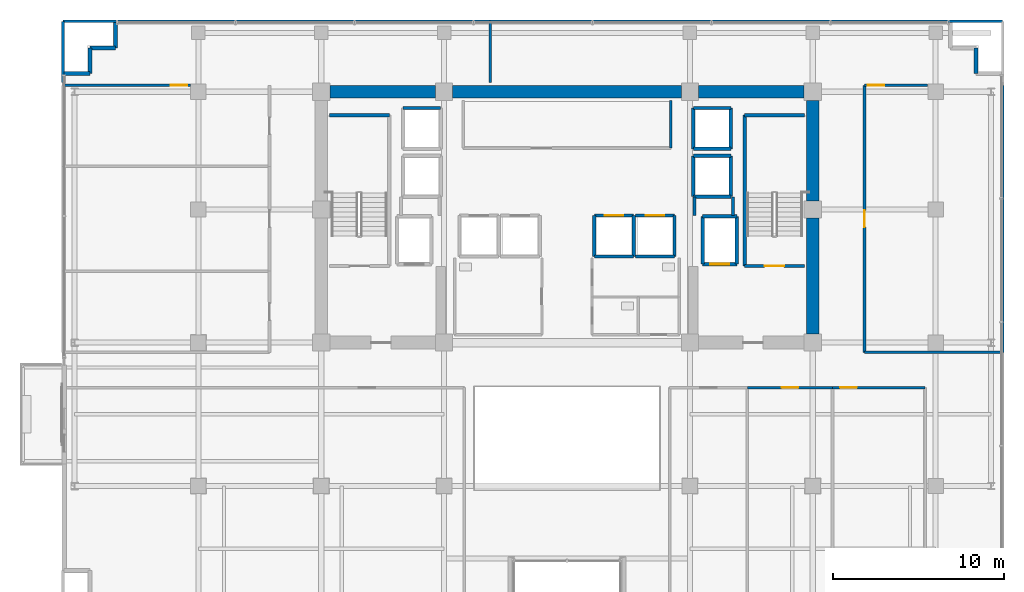
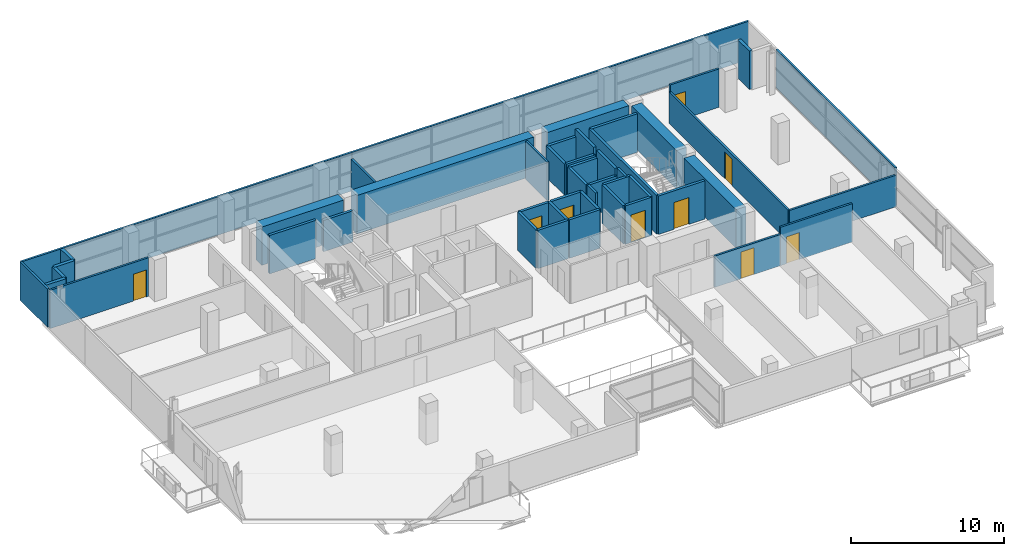
# One storey, part 22 of 28: 48 walls, 9 doors, 9 openings.
"""IFC4 building model written with IfcOpenShell, lengths in metres."""

from ifc_helpers import new_model, si_unit, direction, frame, frame_2d, origin, place, context, subcontext, project, spatial, rectangle, extrude, source, transform, mapped, material, layer, layer_set, type_object, element, fill, save


model = new_model("IFC4")

# Units and contexts
model_context = context("Model", 3, precision=1e-05, world=origin(), true_north=direction((0.0, 1.0)))
body_context = subcontext(model_context, "Body", "Model", "MODEL_VIEW")
ifc_project = project(units=[si_unit("LENGTHUNIT", "METRE"), si_unit("AREAUNIT", "SQUARE_METRE"), si_unit("VOLUMEUNIT", "CUBIC_METRE"), si_unit("PLANEANGLEUNIT", "RADIAN"), si_unit("MASSUNIT", "GRAM", prefix="KILO")], contexts=[model_context])

# Site, building, storey
site_placement = place(None, origin())
site = spatial("IfcSite", under=ifc_project, at=site_placement, CompositionType="ELEMENT")
building_placement = place(site_placement, origin())
building = spatial("IfcBuilding", under=site, at=building_placement, Name="Zarnakvel Exchange Tower", CompositionType="ELEMENT")
storey_placement = place(building_placement, frame((0.0, 0.0, 103.300048828125)))
storey = spatial("IfcBuildingStorey", under=building, at=storey_placement, Name="L28", CompositionType="ELEMENT", Elevation=103.300048828125)

# Walls
ifc_material_1 = material(Name="Concrete C60/75", Category="concrete")
ifc_layer_1 = layer(ifc_material_1, 0.75)
ifc_layer_set_1 = layer_set([ifc_layer_1], Name="Concrete C60/75")
wall_type_1 = type_object("IfcWallType", Name="CW-C3", PredefinedType="SHEAR", material=ifc_layer_set_1)
wall_1_placement = place(storey_placement, frame((-13.89990234375, 13.5, 0.0), z_axis=(0.0, 0.0, 1.0), x_axis=(1.0, 0.0, 0.0)))
element("IfcWall", 1, at=wall_1_placement, inside=storey, type_object=wall_type_1, Name="L28 Rear Core Shear Wall N1 (CW-C3)", PredefinedType="SHEAR", context=body_context, shape_type="SweptSolid", body=[
    extrude(rectangle(XDim=6.199951171875, YDim=0.75, at=frame_2d((3.10009765625, 0.0))), origin(), (0.0, 0.0, 1.0), 3.074951171875),
])
wall_2_placement = place(storey_placement, frame((-6.699951171875, 13.5, 0.0), z_axis=(0.0, 0.0, 1.0), x_axis=(1.0, 0.0, 0.0)))
element("IfcWall", 2, at=wall_2_placement, inside=storey, type_object=wall_type_1, Name="L28 Rear Core Shear Wall N2 (CW-C3)", PredefinedType="SHEAR", context=body_context, shape_type="SweptSolid", body=[
    extrude(rectangle(XDim=13.39990234375, YDim=0.75, at=frame_2d((6.699951171875, 0.0))), origin(), (0.0, 0.0, 1.0), 3.074951171875),
])
wall_3_placement = place(storey_placement, frame((7.699951171875, 13.5, 0.0), z_axis=(0.0, 0.0, 1.0), x_axis=(1.0, 0.0, 0.0)))
element("IfcWall", 3, at=wall_3_placement, inside=storey, type_object=wall_type_1, Name="L28 Rear Core Shear Wall N3 (CW-C3)", PredefinedType="SHEAR", context=body_context, shape_type="SweptSolid", body=[
    extrude(rectangle(XDim=6.199951171875, YDim=0.75, at=frame_2d((3.10009765625, 0.0))), origin(), (0.0, 0.0, 1.0), 3.074951171875),
])
wall_4_placement = place(storey_placement, frame((14.39990234375, -0.699951171875, 0.0), z_axis=(0.0, 0.0, 1.0), x_axis=(0.0, 1.0, 0.0)))
element("IfcWall", 4, at=wall_4_placement, inside=storey, type_object=wall_type_1, Name="L28 Rear Core Shear Wall E1 (CW-C3)", PredefinedType="SHEAR", context=body_context, shape_type="SweptSolid", body=[
    extrude(rectangle(XDim=6.800048828125, YDim=0.75, at=frame_2d((3.39990234375, 0.0))), origin(), (0.0, 0.0, 1.0), 3.074951171875),
])
wall_5_placement = place(storey_placement, frame((14.39990234375, 7.10009765625, 0.0), z_axis=(0.0, 0.0, 1.0), x_axis=(0.0, 1.0, 0.0)))
element("IfcWall", 5, at=wall_5_placement, inside=storey, type_object=wall_type_1, Name="L28 Rear Core Shear Wall E2 (CW-C3)", PredefinedType="SHEAR", context=body_context, shape_type="SweptSolid", body=[
    extrude(rectangle(XDim=5.89990234375, YDim=0.75, at=frame_2d((2.949951171875, 0.0))), origin(), (0.0, 0.0, 1.0), 3.074951171875),
])
ifc_material_2 = material(Name="Precast concrete C40/50", Category="concrete")
ifc_layer_2 = layer(ifc_material_2, 0.239990234375)
ifc_layer_set_2 = layer_set([ifc_layer_2], Name="Precast concrete C40/50")
wall_type_2 = type_object("IfcWallType", Name="EW-02", PredefinedType="SOLIDWALL", material=ifc_layer_set_2)
for number, where, z_axis, x_axis, name in (
    (6, (-27.9599609375, 14.56005859375, 0.0), (0.0, 0.0, 1.0), (-1.0, 0.0, 0.0), "L28 Exterior Precast Spandrel Wall EWC-L28-03 (EW-02)"),
    (7, (-27.9599609375, 16.06005859375, 0.0), (0.0, 0.0, 1.0), (0.0, -1.0, 0.0), "L28 Exterior Precast Spandrel Wall EWC-L28-04 (EW-02)"),
    (8, (-26.4599609375, 16.06005859375, 0.0), (0.0, 0.0, 1.0), (-1.0, 0.0, 0.0), "L28 Exterior Precast Spandrel Wall EWC-L28-05 (EW-02)"),
    (9, (-26.4599609375, 17.56005859375, 0.0), (0.0, 0.0, 1.0), (0.0, -1.0, 0.0), "L28 Exterior Precast Spandrel Wall EWC-L28-06 (EW-02)"),
    (10, (23.9599609375, 14.56005859375, 0.0), (0.0, 0.0, 1.0), (0.0, 1.0, 0.0), "L28 Exterior Precast Spandrel Wall EWC-L28-09 (EW-02)"),
):
    element("IfcWall", number, at=place(storey_placement, frame(where, z_axis=z_axis, x_axis=x_axis)), inside=storey, type_object=wall_type_2, Name=name, PredefinedType="SOLIDWALL", context=body_context, shape_type="SweptSolid", body=[
        extrude(rectangle(XDim=1.5, YDim=0.239990234375, at=frame_2d((0.75, 0.0))), origin(), (0.0, 0.0, 1.0), 3.074951171875),
    ])
ifc_material_3 = material(Name="Fire-Rated Gypsum Stud Partition", Category="gypsum")
ifc_layer_3 = layer(ifc_material_3, 0.14990234375)
ifc_layer_set_3 = layer_set([ifc_layer_3], Name="Fire-Rated Gypsum Stud Partition")
wall_type_3 = type_object("IfcWallType", Name="PT-01", PredefinedType="PARTITIONING", material=ifc_layer_set_3)
wall_6_placement = place(storey_placement, frame((6.080078125, 13.0, 0.0), z_axis=(0.0, 0.0, 1.0), x_axis=(0.0, -1.0, 0.0)))
element("IfcWall", 11, at=wall_6_placement, inside=storey, type_object=wall_type_3, Name="L28 Partition Wall PWALL-L28-013 (PT-01)", PredefinedType="PARTITIONING", context=body_context, shape_type="SweptSolid", body=[
    extrude(rectangle(XDim=2.800048828125, YDim=0.14990234375, at=frame_2d((1.39990234375, 0.0))), origin(), (0.0, 0.0, 1.0), 3.074951171875),
])

# Wall, opening, door
wall_7_placement = place(storey_placement, frame((10.568359375, -3.830078125, 0.0), z_axis=(0.0, 0.0, 1.0), x_axis=(1.0, 0.0, 0.0)))
wall_7 = element("IfcWall", 12, at=wall_7_placement, inside=storey, type_object=wall_type_3, Name="L28 Partition Wall PWALL-L28-034 (PT-01)", PredefinedType="PARTITIONING", context=body_context, shape_type="SweptSolid", body=[
    extrude(rectangle(XDim=4.9873046875, YDim=0.14990234375, at=frame_2d((2.49365234375, 0.0))), origin(), (0.0, 0.0, 1.0), 2.514892578125),
])
opening_1_placement = place(wall_7_placement, frame((2.003662109375, 0.0, 0.0)))
opening_1 = element("IfcOpeningElement", 13, at=opening_1_placement, cuts=wall_7, Name="Opening D-L28-12", PredefinedType="OPENING", context=body_context, shape_type="SweptSolid", body=[
    extrude(rectangle(XDim=0.97998046875, YDim=2.14990234375, at=frame_2d((0.489990234375, 1.074951171875))), frame((0.0, 0.0849609375, 0.0), z_axis=(0.0, -1.0, 0.0), x_axis=(1.0, 0.0, 0.0)), (0.0, 0.0, 1.0), 0.169921875),
])
ifc_material_4 = material(Name="Timber Acoustic Veneer", Category="wood")
door_type_1 = type_object("IfcDoorType", Name="DT-05", OperationType="NOTDEFINED", PredefinedType="DOOR", material=ifc_material_4)
shared_shape_1 = source(origin(), body_context, "Body", "SweptSolid", [
    extrude(rectangle(XDim=0.97998046875, YDim=2.14990234375, at=frame_2d((0.489990234375, 1.074951171875))), frame((0.0, 0.02490234375, 0.0), z_axis=(0.0, -1.0, 0.0), x_axis=(1.0, 0.0, 0.0)), (0.0, 0.0, 1.0), 0.050048828125),
])
door_1_placement = place(opening_1_placement, origin())
door_1 = element("IfcDoor", 14, at=door_1_placement, inside=storey, type_object=door_type_1, Name="L28 Executive Suite Door D-L28-12", OperationType="SINGLE_SWING_LEFT", OverallHeight=2.14990234375, OverallWidth=0.97998046875, PredefinedType="DOOR", context=body_context, shape_type="MappedRepresentation", body=[
    mapped(shared_shape_1, transform((0.0, 0.0, 0.0), x_axis=(1.0, 0.0, 0.0), y_axis=(0.0, 1.0, 0.0), z_axis=(0.0, 0.0, 1.0), scale=1.0)),
])
fill(opening_1, door_1)

wall_8_placement = place(storey_placement, frame((15.5556640625, -3.830078125, 0.0), z_axis=(0.0, 0.0, 1.0), x_axis=(1.0, 0.0, 0.0)))
wall_8 = element("IfcWall", 15, at=wall_8_placement, inside=storey, type_object=wall_type_3, Name="L28 Partition Wall PWALL-L28-037 (PT-01)", PredefinedType="PARTITIONING", context=body_context, shape_type="SweptSolid", body=[
    extrude(rectangle(XDim=5.426025390625, YDim=0.14990234375, at=frame_2d((2.712890625, 0.0))), origin(), (0.0, 0.0, 1.0), 3.074951171875),
])
opening_2_placement = place(wall_8_placement, frame((0.447509765625, 0.0, 0.0)))
opening_2 = element("IfcOpeningElement", 16, at=opening_2_placement, cuts=wall_8, Name="Opening D-L28-13", PredefinedType="OPENING", context=body_context, shape_type="SweptSolid", body=[
    extrude(rectangle(XDim=0.97998046875, YDim=2.14990234375, at=frame_2d((0.489990234375, 1.074951171875))), frame((0.0, 0.0849609375, 0.0), z_axis=(0.0, -1.0, 0.0), x_axis=(1.0, 0.0, 0.0)), (0.0, 0.0, 1.0), 0.169921875),
])
door_2_placement = place(opening_2_placement, origin())
door_2 = element("IfcDoor", 17, at=door_2_placement, inside=storey, type_object=door_type_1, Name="L28 Staff Pantry Door D-L28-13", OperationType="SINGLE_SWING_RIGHT", OverallHeight=2.14990234375, OverallWidth=0.97998046875, PredefinedType="DOOR", context=body_context, shape_type="MappedRepresentation", body=[
    mapped(shared_shape_1, transform((0.0, 0.0, 0.0), x_axis=(1.0, 0.0, 0.0), y_axis=(0.0, 1.0, 0.0), z_axis=(0.0, 0.0, 1.0), scale=1.0)),
])
fill(opening_2, door_2)

wall_9_placement = place(storey_placement, frame((-29.530029296875, 13.8798828125, 0.0), z_axis=(0.0, 0.0, 1.0), x_axis=(1.0, 0.0, 0.0)))
wall_9 = element("IfcWall", 18, at=wall_9_placement, inside=storey, type_object=wall_type_3, Name="L28 Partition Wall PWALL-L28-046 (PT-01)", PredefinedType="PARTITIONING", context=body_context, shape_type="SweptSolid", body=[
    extrude(rectangle(XDim=7.4599609375, YDim=0.14990234375, at=frame_2d((3.72998046875, 0.0))), origin(), (0.0, 0.0, 1.0), 3.074951171875),
])
opening_3_placement = place(wall_9_placement, frame((6.300048828125, 0.0, 0.0)))
opening_3 = element("IfcOpeningElement", 19, at=opening_3_placement, cuts=wall_9, Name="Opening D-L28-18", PredefinedType="OPENING", context=body_context, shape_type="SweptSolid", body=[
    extrude(rectangle(XDim=0.97998046875, YDim=2.14990234375, at=frame_2d((0.489990234375, 1.074951171875))), frame((0.0, 0.0849609375, 0.0), z_axis=(0.0, -1.0, 0.0), x_axis=(1.0, 0.0, 0.0)), (0.0, 0.0, 1.0), 0.169921875),
])
door_3_placement = place(opening_3_placement, origin())
door_3 = element("IfcDoor", 20, at=door_3_placement, inside=storey, type_object=door_type_1, Name="L28 Compliance Office Door D-L28-18", OperationType="SINGLE_SWING_LEFT", OverallHeight=2.14990234375, OverallWidth=0.97998046875, PredefinedType="DOOR", context=body_context, shape_type="MappedRepresentation", body=[
    mapped(shared_shape_1, transform((0.0, 0.0, 0.0), x_axis=(1.0, 0.0, 0.0), y_axis=(0.0, 1.0, 0.0), z_axis=(0.0, 0.0, 1.0), scale=1.0)),
])
fill(opening_3, door_3)

# Wall
wall_10_placement = place(storey_placement, frame((25.530029296875, -1.77001953125, 0.0), z_axis=(0.0, 0.0, 1.0), x_axis=(-1.0, 0.0, 0.0)))
element("IfcWall", 21, at=wall_10_placement, inside=storey, type_object=wall_type_3, Name="L28 Partition Wall PWALL-L28-049 (PT-01)", PredefinedType="PARTITIONING", context=body_context, shape_type="SweptSolid", body=[
    extrude(rectangle(XDim=8.10009765625, YDim=0.14990234375, at=frame_2d((4.050048828125, 0.0))), origin(), (0.0, 0.0, 1.0), 2.514892578125),
])

# Wall, opening, door
wall_11_placement = place(storey_placement, frame((17.429931640625, 13.8798828125, 0.0), z_axis=(0.0, 0.0, 1.0), x_axis=(1.0, 0.0, 0.0)))
wall_11 = element("IfcWall", 22, at=wall_11_placement, inside=storey, type_object=wall_type_3, Name="L28 Partition Wall PWALL-L28-050 (PT-01)", PredefinedType="PARTITIONING", context=body_context, shape_type="SweptSolid", body=[
    extrude(rectangle(XDim=3.699951171875, YDim=0.14990234375, at=frame_2d((1.85009765625, 0.0))), origin(), (0.0, 0.0, 1.0), 3.074951171875),
])
opening_4_placement = place(wall_11_placement, frame((0.179931640625, 0.0, 0.0)))
opening_4 = element("IfcOpeningElement", 23, at=opening_4_placement, cuts=wall_11, Name="Opening D-L28-19", PredefinedType="OPENING", context=body_context, shape_type="SweptSolid", body=[
    extrude(rectangle(XDim=0.97998046875, YDim=2.14990234375, at=frame_2d((0.489990234375, 1.074951171875))), frame((0.0, 0.0849609375, 0.0), z_axis=(0.0, -1.0, 0.0), x_axis=(1.0, 0.0, 0.0)), (0.0, 0.0, 1.0), 0.169921875),
])
door_4_placement = place(opening_4_placement, origin())
door_4 = element("IfcDoor", 24, at=door_4_placement, inside=storey, type_object=door_type_1, Name="L28 Client Lounge Door D-L28-19", OperationType="SINGLE_SWING_RIGHT", OverallHeight=2.14990234375, OverallWidth=0.97998046875, PredefinedType="DOOR", context=body_context, shape_type="MappedRepresentation", body=[
    mapped(shared_shape_1, transform((0.0, 0.0, 0.0), x_axis=(1.0, 0.0, 0.0), y_axis=(0.0, 1.0, 0.0), z_axis=(0.0, 0.0, 1.0), scale=1.0)),
])
fill(opening_4, door_4)

wall_12_placement = place(storey_placement, frame((17.429931640625, -1.77001953125, 0.0), z_axis=(0.0, 0.0, 1.0), x_axis=(0.0, 1.0, 0.0)))
wall_12 = element("IfcWall", 25, at=wall_12_placement, inside=storey, type_object=wall_type_3, Name="L28 Partition Wall PWALL-L28-051 (PT-01)", PredefinedType="PARTITIONING", context=body_context, shape_type="SweptSolid", body=[
    extrude(rectangle(XDim=15.64990234375, YDim=0.14990234375, at=frame_2d((7.824951171875, 0.0))), origin(), (0.0, 0.0, 1.0), 2.514892578125),
])
opening_5_placement = place(wall_12_placement, frame((7.3349609375, 0.0, 0.0)))
opening_5 = element("IfcOpeningElement", 26, at=opening_5_placement, cuts=wall_12, Name="Opening D-L28-17", PredefinedType="OPENING", context=body_context, shape_type="SweptSolid", body=[
    extrude(rectangle(XDim=0.97998046875, YDim=2.14990234375, at=frame_2d((0.489990234375, 1.074951171875))), frame((0.0, 0.0849609375, 0.0), z_axis=(0.0, -1.0, 0.0), x_axis=(1.0, 0.0, 0.0)), (0.0, 0.0, 1.0), 0.169921875),
])
door_5_placement = place(opening_5_placement, origin())
door_5 = element("IfcDoor", 27, at=door_5_placement, inside=storey, type_object=door_type_1, Name="L28 Staff Pantry Door D-L28-17", OperationType="SINGLE_SWING_RIGHT", OverallHeight=2.14990234375, OverallWidth=0.97998046875, PredefinedType="DOOR", context=body_context, shape_type="MappedRepresentation", body=[
    mapped(shared_shape_1, transform((0.0, 0.0, 0.0), x_axis=(1.0, 0.0, 0.0), y_axis=(0.0, 1.0, 0.0), z_axis=(0.0, 0.0, 1.0), scale=1.0)),
])
fill(opening_5, door_5)

# Walls
wall_13_placement = place(storey_placement, frame((25.530029296875, 13.8798828125, 0.0), z_axis=(0.0, 0.0, 1.0), x_axis=(0.0, -1.0, 0.0)))
element("IfcWall", 28, at=wall_13_placement, inside=storey, type_object=wall_type_3, Name="L28 Partition Wall PWALL-L28-052 (PT-01)", PredefinedType="PARTITIONING", context=body_context, shape_type="SweptSolid", body=[
    extrude(rectangle(XDim=15.64990234375, YDim=0.14990234375, at=frame_2d((7.824951171875, 0.0))), origin(), (0.0, 0.0, 1.0), 3.074951171875),
])
wall_14_placement = place(storey_placement, frame((-29.530029296875, 17.6298828125, 0.0), z_axis=(0.0, 0.0, 1.0), x_axis=(1.0, 0.0, 0.0)))
element("IfcWall", 29, at=wall_14_placement, inside=storey, type_object=wall_type_3, Name="L28 Partition Wall PWALL-L28-053 (PT-01)", PredefinedType="PARTITIONING", context=body_context, shape_type="SweptSolid", body=[
    extrude(rectangle(XDim=25.030029296875, YDim=0.14990234375, at=frame_2d((12.51513671875, 0.0))), origin(), (0.0, 0.0, 1.0), 3.074951171875),
])
wall_15_placement = place(storey_placement, frame((-29.530029296875, 14.030029296875, 0.0), z_axis=(0.0, 0.0, 1.0), x_axis=(0.0, 1.0, 0.0)))
element("IfcWall", 30, at=wall_15_placement, inside=storey, type_object=wall_type_3, Name="L28 Partition Wall PWALL-L28-054 (PT-01)", PredefinedType="PARTITIONING", context=body_context, shape_type="SweptSolid", body=[
    extrude(rectangle(XDim=3.599853515625, YDim=0.14990234375, at=frame_2d((1.7998046875, 0.0))), origin(), (0.0, 0.0, 1.0), 3.074951171875),
])
wall_16_placement = place(storey_placement, frame((-4.5, 17.6298828125, 0.0), z_axis=(0.0, 0.0, 1.0), x_axis=(0.0, -1.0, 0.0)))
element("IfcWall", 31, at=wall_16_placement, inside=storey, type_object=wall_type_3, Name="L28 Partition Wall PWALL-L28-055 (PT-01)", PredefinedType="PARTITIONING", context=body_context, shape_type="SweptSolid", body=[
    extrude(rectangle(XDim=3.599853515625, YDim=0.14990234375, at=frame_2d((1.7998046875, 0.0))), origin(), (0.0, 0.0, 1.0), 2.56494140625),
])
wall_17_placement = place(storey_placement, frame((-4.5, 17.6298828125, 0.0), z_axis=(0.0, 0.0, 1.0), x_axis=(1.0, 0.0, 0.0)))
element("IfcWall", 32, at=wall_17_placement, inside=storey, type_object=wall_type_3, Name="L28 Partition Wall PWALL-L28-056 (PT-01)", PredefinedType="PARTITIONING", context=body_context, shape_type="SweptSolid", body=[
    extrude(rectangle(XDim=30.030029296875, YDim=0.14990234375, at=frame_2d((15.01513671875, 0.0))), origin(), (0.0, 0.0, 1.0), 3.074951171875),
])
ifc_layer_4 = layer(ifc_material_3, 0.179931640625)
ifc_layer_set_4 = layer_set([ifc_layer_4], Name="Fire-Rated Gypsum Stud Partition")
wall_type_4 = type_object("IfcWallType", Name="PT-02", PredefinedType="PARTITIONING", material=ifc_layer_set_4)
wall_18_placement = place(storey_placement, frame((7.469970703125, 6.239990234375, 0.0), z_axis=(0.0, 0.0, 1.0), x_axis=(0.0, 1.0, 0.0)))
element("IfcWall", 33, at=wall_18_placement, inside=storey, type_object=wall_type_4, Name="L28 Partition Wall PWALL-L28-009 (PT-02)", PredefinedType="PARTITIONING", context=body_context, shape_type="SweptSolid", body=[
    extrude(rectangle(XDim=1.090087890625, YDim=0.179931640625, at=frame_2d((0.544921875, 0.0))), origin(), (0.0, 0.0, 1.0), 2.514892578125),
])
wall_19_placement = place(storey_placement, frame((9.72998046875, 7.330078125, 0.0), z_axis=(0.0, 0.0, 1.0), x_axis=(0.0, -1.0, 0.0)))
element("IfcWall", 34, at=wall_19_placement, inside=storey, type_object=wall_type_4, Name="L28 Partition Wall PWALL-L28-010 (PT-02)", PredefinedType="PARTITIONING", context=body_context, shape_type="SweptSolid", body=[
    extrude(rectangle(XDim=1.090087890625, YDim=0.179931640625, at=frame_2d((0.544921875, 0.0))), origin(), (0.0, 0.0, 1.0), 3.074951171875),
])

# Wall, opening, door
ifc_material_5 = material(Name="Concrete C40/50", Category="concrete")
ifc_layer_5 = layer(ifc_material_5, 0.199951171875)
ifc_layer_set_5 = layer_set([ifc_layer_5], Name="Concrete C40/50")
wall_type_5 = type_object("IfcWallType", Name="SW-01", PredefinedType="SOLIDWALL", material=ifc_layer_set_5)
wall_20_placement = place(storey_placement, frame((9.949951171875, 3.39990234375, 0.0), z_axis=(0.0, 0.0, 1.0), x_axis=(-1.0, 0.0, 0.0)))
wall_20 = element("IfcWall", 35, at=wall_20_placement, inside=storey, type_object=wall_type_5, Name="L28 FL-02 Hoistway Wall South", PredefinedType="SOLIDWALL", context=body_context, shape_type="SweptSolid", body=[
    extrude(rectangle(XDim=2.0, YDim=0.199951171875, at=frame_2d((1.0, 0.0))), origin(), (0.0, 0.0, 1.0), 3.074951171875),
])
opening_6_placement = place(wall_20_placement, frame((0.449951171875, 0.0, 0.0)))
opening_6 = element("IfcOpeningElement", 36, at=opening_6_placement, cuts=wall_20, Name="Opening LD-FL-02-L28", PredefinedType="OPENING", context=body_context, shape_type="SweptSolid", body=[
    extrude(rectangle(XDim=1.10009765625, YDim=2.199951171875, at=frame_2d((0.550048828125, 1.10009765625))), frame((0.0, 0.10986328125, 0.0), z_axis=(0.0, -1.0, 0.0), x_axis=(1.0, 0.0, 0.0)), (0.0, 0.0, 1.0), 0.219970703125),
])
ifc_material_6 = material(Name="Brushed Stainless Steel", Category="steel")
door_type_2 = type_object("IfcDoorType", Name="LDT-01", OperationType="NOTDEFINED", PredefinedType="DOOR", material=ifc_material_6)
shared_shape_2 = source(origin(), body_context, "Body", "SweptSolid", [
    extrude(rectangle(XDim=1.10009765625, YDim=2.199951171875, at=frame_2d((0.550048828125, 1.10009765625))), frame((0.0, 0.02490234375, 0.0), z_axis=(0.0, -1.0, 0.0), x_axis=(1.0, 0.0, 0.0)), (0.0, 0.0, 1.0), 0.050048828125),
])
door_6_placement = place(opening_6_placement, origin())
door_6 = element("IfcDoor", 37, at=door_6_placement, inside=storey, type_object=door_type_2, Name="L28 FL-02 Lift Landing Door LD-FL-02-L28", OperationType="DOUBLE_DOOR_SLIDING", OverallHeight=2.199951171875, OverallWidth=1.10009765625, PredefinedType="DOOR", context=body_context, shape_type="MappedRepresentation", body=[
    mapped(shared_shape_2, transform((0.0, 0.0, 0.0), x_axis=(1.0, 0.0, 0.0), y_axis=(0.0, 1.0, 0.0), z_axis=(0.0, 0.0, 1.0), scale=1.0)),
])
fill(opening_6, door_6)

# Walls
wall_21_placement = place(storey_placement, frame((7.949951171875, 6.199951171875, 0.0), z_axis=(0.0, 0.0, 1.0), x_axis=(1.0, 0.0, 0.0)))
element("IfcWall", 38, at=wall_21_placement, inside=storey, type_object=wall_type_5, Name="L28 FL-02 Hoistway Wall North", PredefinedType="SOLIDWALL", context=body_context, shape_type="SweptSolid", body=[
    extrude(rectangle(XDim=2.0, YDim=0.199951171875, at=frame_2d((1.0, 0.0))), origin(), (0.0, 0.0, 1.0), 3.074951171875),
])
for number, where, z_axis, x_axis, name in (
    (39, (7.949951171875, 3.39990234375, 0.0), (0.0, 0.0, 1.0), (0.0, 1.0, 0.0), "L28 FL-02 Hoistway Wall West"),
    (40, (9.949951171875, 6.199951171875, 0.0), (0.0, 0.0, 1.0), (0.0, -1.0, 0.0), "L28 FL-02 Hoistway Wall East"),
):
    element("IfcWall", number, at=place(storey_placement, frame(where, z_axis=z_axis, x_axis=x_axis)), inside=storey, type_object=wall_type_5, Name=name, PredefinedType="SOLIDWALL", context=body_context, shape_type="SweptSolid", body=[
        extrude(rectangle(XDim=2.800048828125, YDim=0.199951171875, at=frame_2d((1.39990234375, 0.0))), origin(), (0.0, 0.0, 1.0), 3.074951171875),
    ])
wall_22_placement = place(storey_placement, frame((3.89990234375, 3.85009765625, 0.0), z_axis=(0.0, 0.0, 1.0), x_axis=(-1.0, 0.0, 0.0)))
element("IfcWall", 41, at=wall_22_placement, inside=storey, type_object=wall_type_5, Name="L28 PL-07 Hoistway Wall South", PredefinedType="SOLIDWALL", context=body_context, shape_type="SweptSolid", body=[
    extrude(rectangle(XDim=2.2998046875, YDim=0.199951171875, at=frame_2d((1.14990234375, 0.0))), origin(), (0.0, 0.0, 1.0), 3.074951171875),
])

# Wall, opening, door
wall_23_placement = place(storey_placement, frame((1.60009765625, 6.25, 0.0), z_axis=(0.0, 0.0, 1.0), x_axis=(1.0, 0.0, 0.0)))
wall_23 = element("IfcWall", 42, at=wall_23_placement, inside=storey, type_object=wall_type_5, Name="L28 PL-07 Hoistway Wall North", PredefinedType="SOLIDWALL", context=body_context, shape_type="SweptSolid", body=[
    extrude(rectangle(XDim=2.2998046875, YDim=0.199951171875, at=frame_2d((1.14990234375, 0.0))), origin(), (0.0, 0.0, 1.0), 3.074951171875),
])
opening_7_placement = place(wall_23_placement, frame((0.60009765625, 0.0, 0.0)))
opening_7 = element("IfcOpeningElement", 43, at=opening_7_placement, cuts=wall_23, Name="Opening LD-PL-07-L28", PredefinedType="OPENING", context=body_context, shape_type="SweptSolid", body=[
    extrude(rectangle(XDim=1.10009765625, YDim=2.199951171875, at=frame_2d((0.550048828125, 1.10009765625))), frame((0.0, 0.10986328125, 0.0), z_axis=(0.0, -1.0, 0.0), x_axis=(1.0, 0.0, 0.0)), (0.0, 0.0, 1.0), 0.219970703125),
])
ifc_material_7 = material(Name="Architectural Bronze Anodised Aluminium", Category="aluminium")
door_type_3 = type_object("IfcDoorType", Name="LDT-02", OperationType="NOTDEFINED", PredefinedType="DOOR", material=ifc_material_7)
door_7_placement = place(opening_7_placement, origin())
door_7 = element("IfcDoor", 44, at=door_7_placement, inside=storey, type_object=door_type_3, Name="L28 PL-07 Lift Landing Door LD-PL-07-L28", OperationType="DOUBLE_DOOR_SLIDING", OverallHeight=2.199951171875, OverallWidth=1.10009765625, PredefinedType="DOOR", context=body_context, shape_type="MappedRepresentation", body=[
    mapped(shared_shape_2, transform((0.0, 0.0, 0.0), x_axis=(1.0, 0.0, 0.0), y_axis=(0.0, 1.0, 0.0), z_axis=(0.0, 0.0, 1.0), scale=1.0)),
])
fill(opening_7, door_7)

# Walls
for number, where, z_axis, x_axis, name in (
    (45, (1.60009765625, 3.85009765625, 0.0), (0.0, 0.0, 1.0), (0.0, 1.0, 0.0), "L28 PL-07 Hoistway Wall West"),
    (46, (3.89990234375, 6.25, 0.0), (0.0, 0.0, 1.0), (0.0, -1.0, 0.0), "L28 PL-07 Hoistway Wall East"),
):
    element("IfcWall", number, at=place(storey_placement, frame(where, z_axis=z_axis, x_axis=x_axis)), inside=storey, type_object=wall_type_5, Name=name, PredefinedType="SOLIDWALL", context=body_context, shape_type="SweptSolid", body=[
        extrude(rectangle(XDim=2.39990234375, YDim=0.199951171875, at=frame_2d((1.199951171875, 0.0))), origin(), (0.0, 0.0, 1.0), 3.074951171875),
    ])
wall_24_placement = place(storey_placement, frame((6.300048828125, 3.85009765625, 0.0), z_axis=(0.0, 0.0, 1.0), x_axis=(-1.0, 0.0, 0.0)))
element("IfcWall", 47, at=wall_24_placement, inside=storey, type_object=wall_type_5, Name="L28 PL-08 Hoistway Wall South", PredefinedType="SOLIDWALL", context=body_context, shape_type="SweptSolid", body=[
    extrude(rectangle(XDim=2.300048828125, YDim=0.199951171875, at=frame_2d((1.14990234375, 0.0))), origin(), (0.0, 0.0, 1.0), 3.074951171875),
])

# Wall, opening, door
wall_25_placement = place(storey_placement, frame((4.0, 6.25, 0.0), z_axis=(0.0, 0.0, 1.0), x_axis=(1.0, 0.0, 0.0)))
wall_25 = element("IfcWall", 48, at=wall_25_placement, inside=storey, type_object=wall_type_5, Name="L28 PL-08 Hoistway Wall North", PredefinedType="SOLIDWALL", context=body_context, shape_type="SweptSolid", body=[
    extrude(rectangle(XDim=2.300048828125, YDim=0.199951171875, at=frame_2d((1.14990234375, 0.0))), origin(), (0.0, 0.0, 1.0), 3.074951171875),
])
opening_8_placement = place(wall_25_placement, frame((0.60009765625, 0.0, 0.0)))
opening_8 = element("IfcOpeningElement", 49, at=opening_8_placement, cuts=wall_25, Name="Opening LD-PL-08-L28", PredefinedType="OPENING", context=body_context, shape_type="SweptSolid", body=[
    extrude(rectangle(XDim=1.10009765625, YDim=2.199951171875, at=frame_2d((0.550048828125, 1.10009765625))), frame((0.0, 0.10986328125, 0.0), z_axis=(0.0, -1.0, 0.0), x_axis=(1.0, 0.0, 0.0)), (0.0, 0.0, 1.0), 0.219970703125),
])
door_8_placement = place(opening_8_placement, origin())
door_8 = element("IfcDoor", 50, at=door_8_placement, inside=storey, type_object=door_type_3, Name="L28 PL-08 Lift Landing Door LD-PL-08-L28", OperationType="DOUBLE_DOOR_SLIDING", OverallHeight=2.199951171875, OverallWidth=1.10009765625, PredefinedType="DOOR", context=body_context, shape_type="MappedRepresentation", body=[
    mapped(shared_shape_2, transform((0.0, 0.0, 0.0), x_axis=(1.0, 0.0, 0.0), y_axis=(0.0, 1.0, 0.0), z_axis=(0.0, 0.0, 1.0), scale=1.0)),
])
fill(opening_8, door_8)

# Walls
wall_26_placement = place(storey_placement, frame((6.300048828125, 6.25, 0.0), z_axis=(0.0, 0.0, 1.0), x_axis=(0.0, -1.0, 0.0)))
element("IfcWall", 51, at=wall_26_placement, inside=storey, type_object=wall_type_5, Name="L28 PL-08 Hoistway Wall East", PredefinedType="SOLIDWALL", context=body_context, shape_type="SweptSolid", body=[
    extrude(rectangle(XDim=2.39990234375, YDim=0.199951171875, at=frame_2d((1.199951171875, 0.0))), origin(), (0.0, 0.0, 1.0), 3.074951171875),
])
for number, where, z_axis, x_axis, name in (
    (52, (-9.60009765625, 12.550048828125, 0.0), (0.0, 0.0, 1.0), (1.0, 0.0, 0.0), "L28 PL-10 Hoistway Wall North"),
    (53, (9.60009765625, 7.35009765625, 0.0), (0.0, 0.0, 1.0), (-1.0, 0.0, 0.0), "L28 PL-11 Hoistway Wall South"),
    (54, (7.39990234375, 9.75, 0.0), (0.0, 0.0, 1.0), (1.0, 0.0, 0.0), "L28 PL-11 Hoistway Wall North"),
):
    element("IfcWall", number, at=place(storey_placement, frame(where, z_axis=z_axis, x_axis=x_axis)), inside=storey, type_object=wall_type_5, Name=name, PredefinedType="SOLIDWALL", context=body_context, shape_type="SweptSolid", body=[
        extrude(rectangle(XDim=2.2001953125, YDim=0.199951171875, at=frame_2d((1.10009765625, 0.0))), origin(), (0.0, 0.0, 1.0), 2.514892578125),
    ])
wall_27_placement = place(storey_placement, frame((7.39990234375, 7.35009765625, 0.0), z_axis=(0.0, 0.0, 1.0), x_axis=(0.0, 1.0, 0.0)))
element("IfcWall", 55, at=wall_27_placement, inside=storey, type_object=wall_type_5, Name="L28 PL-11 Hoistway Wall West", PredefinedType="SOLIDWALL", context=body_context, shape_type="SweptSolid", body=[
    extrude(rectangle(XDim=2.39990234375, YDim=0.199951171875, at=frame_2d((1.199951171875, 0.0))), origin(), (0.0, 0.0, 1.0), 2.514892578125),
])
wall_28_placement = place(storey_placement, frame((9.60009765625, 9.75, 0.0), z_axis=(0.0, 0.0, 1.0), x_axis=(0.0, -1.0, 0.0)))
element("IfcWall", 56, at=wall_28_placement, inside=storey, type_object=wall_type_5, Name="L28 PL-11 Hoistway Wall East", PredefinedType="SOLIDWALL", context=body_context, shape_type="SweptSolid", body=[
    extrude(rectangle(XDim=2.39990234375, YDim=0.199951171875, at=frame_2d((1.199951171875, 0.0))), origin(), (0.0, 0.0, 1.0), 3.074951171875),
])
for number, where, z_axis, x_axis, name in (
    (57, (9.60009765625, 10.14990234375, 0.0), (0.0, 0.0, 1.0), (-1.0, 0.0, 0.0), "L28 PL-12 Hoistway Wall South"),
    (58, (7.39990234375, 12.550048828125, 0.0), (0.0, 0.0, 1.0), (1.0, 0.0, 0.0), "L28 PL-12 Hoistway Wall North"),
):
    element("IfcWall", number, at=place(storey_placement, frame(where, z_axis=z_axis, x_axis=x_axis)), inside=storey, type_object=wall_type_5, Name=name, PredefinedType="SOLIDWALL", context=body_context, shape_type="SweptSolid", body=[
        extrude(rectangle(XDim=2.2001953125, YDim=0.199951171875, at=frame_2d((1.10009765625, 0.0))), origin(), (0.0, 0.0, 1.0), 2.514892578125),
    ])
wall_29_placement = place(storey_placement, frame((7.39990234375, 10.14990234375, 0.0), z_axis=(0.0, 0.0, 1.0), x_axis=(0.0, 1.0, 0.0)))
element("IfcWall", 59, at=wall_29_placement, inside=storey, type_object=wall_type_5, Name="L28 PL-12 Hoistway Wall West", PredefinedType="SOLIDWALL", context=body_context, shape_type="SweptSolid", body=[
    extrude(rectangle(XDim=2.400146484375, YDim=0.199951171875, at=frame_2d((1.2001953125, 0.0))), origin(), (0.0, 0.0, 1.0), 2.514892578125),
])
wall_30_placement = place(storey_placement, frame((9.60009765625, 12.550048828125, 0.0), z_axis=(0.0, 0.0, 1.0), x_axis=(0.0, -1.0, 0.0)))
element("IfcWall", 60, at=wall_30_placement, inside=storey, type_object=wall_type_5, Name="L28 PL-12 Hoistway Wall East", PredefinedType="SOLIDWALL", context=body_context, shape_type="SweptSolid", body=[
    extrude(rectangle(XDim=2.400146484375, YDim=0.199951171875, at=frame_2d((1.2001953125, 0.0))), origin(), (0.0, 0.0, 1.0), 3.074951171875),
])
ifc_layer_6 = layer(ifc_material_5, 0.199951171875)
ifc_layer_set_6 = layer_set([ifc_layer_6], Name="Concrete C40/50")
wall_type_6 = type_object("IfcWallType", Name="SW-02", PredefinedType="SOLIDWALL", material=ifc_layer_set_6)
wall_31_placement = place(storey_placement, frame((-13.929931640625, 12.1298828125, 0.0), z_axis=(0.0, 0.0, 1.0), x_axis=(1.0, 0.0, 0.0)))
element("IfcWall", 61, at=wall_31_placement, inside=storey, type_object=wall_type_6, Name="L28 Stairwell Core Wall PWALL-L28-002 (SW-02)", PredefinedType="SOLIDWALL", context=body_context, shape_type="SweptSolid", body=[
    extrude(rectangle(XDim=3.52001953125, YDim=0.199951171875, at=frame_2d((1.760009765625, 0.0))), origin(), (0.0, 0.0, 1.0), 3.074951171875),
])

# Wall, opening, door
wall_32_placement = place(storey_placement, frame((13.929931640625, 3.2900390625, 0.0), z_axis=(0.0, 0.0, 1.0), x_axis=(-1.0, 0.0, 0.0)))
wall_32 = element("IfcWall", 62, at=wall_32_placement, inside=storey, type_object=wall_type_6, Name="L28 Stairwell Core Wall PWALL-L28-004 (SW-02)", PredefinedType="SOLIDWALL", context=body_context, shape_type="SweptSolid", body=[
    extrude(rectangle(XDim=3.52001953125, YDim=0.199951171875, at=frame_2d((1.760009765625, 0.0))), origin(), (0.0, 0.0, 1.0), 3.074951171875),
])
opening_9_placement = place(wall_32_placement, frame((1.205078125, 0.0, 0.0)))
opening_9 = element("IfcOpeningElement", 63, at=opening_9_placement, cuts=wall_32, Name="Opening D-L28-02", PredefinedType="OPENING", context=body_context, shape_type="SweptSolid", body=[
    extrude(rectangle(XDim=1.14990234375, YDim=2.14990234375, at=frame_2d((0.574951171875, 1.074951171875))), frame((0.0, 0.10986328125, 0.0), z_axis=(0.0, -1.0, 0.0), x_axis=(1.0, 0.0, 0.0)), (0.0, 0.0, 1.0), 0.219970703125),
])
ifc_material_8 = material(Name="Painted Galvanised Steel S355", Category="steel")
door_type_4 = type_object("IfcDoorType", Name="DT-04", OperationType="NOTDEFINED", PredefinedType="DOOR", material=ifc_material_8)
shared_shape_3 = source(origin(), body_context, "Body", "SweptSolid", [
    extrude(rectangle(XDim=1.14990234375, YDim=2.14990234375, at=frame_2d((0.574951171875, 1.074951171875))), frame((0.0, 0.02490234375, 0.0), z_axis=(0.0, -1.0, 0.0), x_axis=(1.0, 0.0, 0.0)), (0.0, 0.0, 1.0), 0.050048828125),
])
door_9_placement = place(opening_9_placement, origin())
door_9 = element("IfcDoor", 64, at=door_9_placement, inside=storey, type_object=door_type_4, Name="L28 Stairwell ST-02 Door D-L28-02", OperationType="SINGLE_SWING_LEFT", OverallHeight=2.14990234375, OverallWidth=1.14990234375, PredefinedType="DOOR", context=body_context, shape_type="MappedRepresentation", body=[
    mapped(shared_shape_3, transform((0.0, 0.0, 0.0), x_axis=(1.0, 0.0, 0.0), y_axis=(0.0, 1.0, 0.0), z_axis=(0.0, 0.0, 1.0), scale=1.0)),
])
fill(opening_9, door_9)

# Walls
wall_33_placement = place(storey_placement, frame((10.409912109375, 12.1298828125, 0.0), z_axis=(0.0, 0.0, 1.0), x_axis=(1.0, 0.0, 0.0)))
element("IfcWall", 65, at=wall_33_placement, inside=storey, type_object=wall_type_6, Name="L28 Stairwell Core Wall PWALL-L28-005 (SW-02)", PredefinedType="SOLIDWALL", context=body_context, shape_type="SweptSolid", body=[
    extrude(rectangle(XDim=3.52001953125, YDim=0.199951171875, at=frame_2d((1.760009765625, 0.0))), origin(), (0.0, 0.0, 1.0), 3.074951171875),
])
wall_34_placement = place(storey_placement, frame((10.409912109375, 3.2900390625, 0.0), z_axis=(0.0, 0.0, 1.0), x_axis=(0.0, 1.0, 0.0)))
element("IfcWall", 66, at=wall_34_placement, inside=storey, type_object=wall_type_6, Name="L28 Stairwell Core Wall PWALL-L28-006 (SW-02)", PredefinedType="SOLIDWALL", context=body_context, shape_type="SweptSolid", body=[
    extrude(rectangle(XDim=8.83984375, YDim=0.199951171875, at=frame_2d((4.419921875, 0.0))), origin(), (0.0, 0.0, 1.0), 3.074951171875),
])

save(model, "model.ifc")
